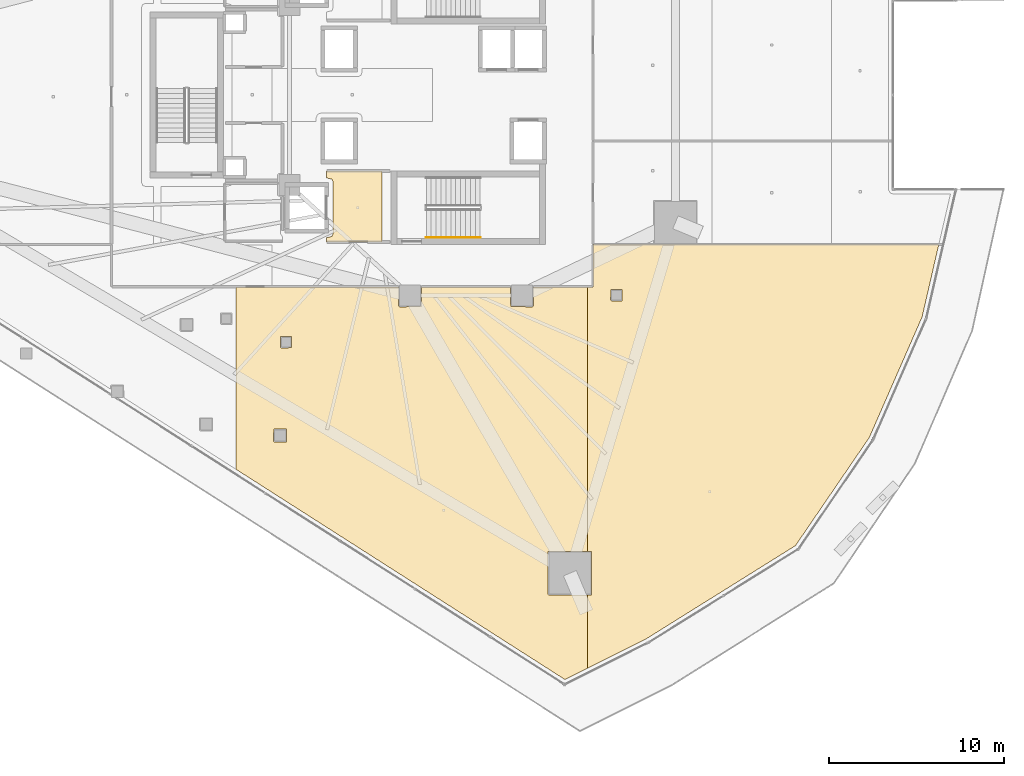
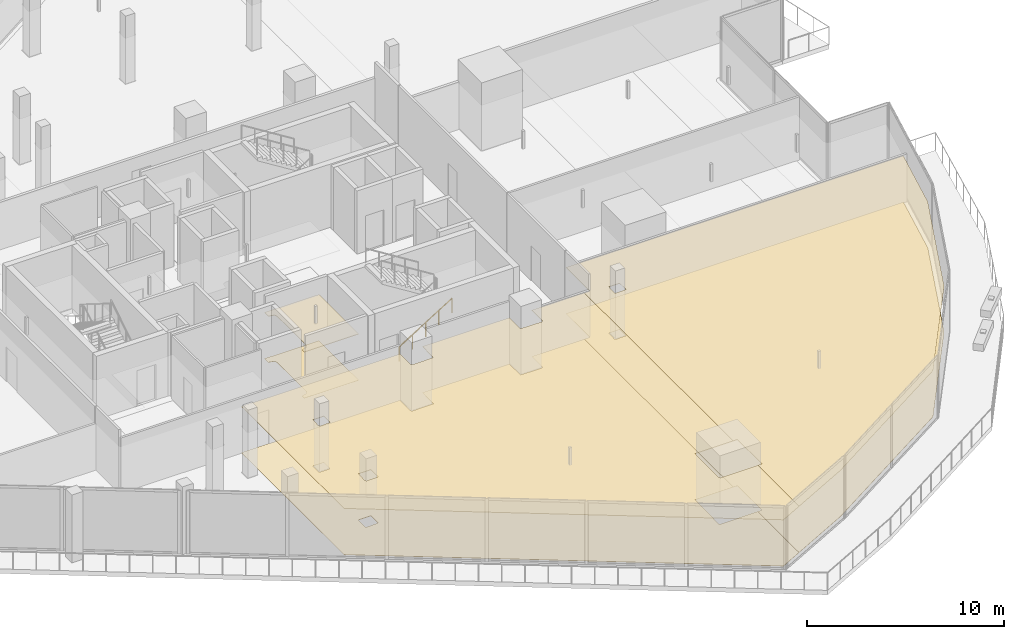
# One storey, part 36 of 42: 6 coverings, 1 railing.
"""IFC4 building model written with IfcOpenShell, lengths in metres."""

from ifc_helpers import new_model, si_unit, direction, frame, origin, origin_2d, place, context, subcontext, project, spatial, polyline, circle, outline, extrude, material, layer, layer_set, type_object, element, save


model = new_model("IFC4")

# Units and contexts
model_context = context("Model", 3, precision=1e-05, world=origin(), true_north=direction((0.0, 1.0)))
body_context = subcontext(model_context, "Body", "Model", "MODEL_VIEW")
ifc_project = project(units=[si_unit("LENGTHUNIT", "METRE"), si_unit("AREAUNIT", "SQUARE_METRE"), si_unit("VOLUMEUNIT", "CUBIC_METRE"), si_unit("PLANEANGLEUNIT", "RADIAN"), si_unit("MASSUNIT", "GRAM", prefix="KILO")], contexts=[model_context])

# Site, building, storey
site_placement = place(None, origin())
site = spatial("IfcSite", under=ifc_project, at=site_placement, CompositionType="ELEMENT")
building_placement = place(site_placement, origin())
building = spatial("IfcBuilding", under=site, at=building_placement, Name="Qorvath Tower", CompositionType="ELEMENT")
storey_placement = place(building_placement, frame((0.0, 0.0, 32.39990234375)))
storey = spatial("IfcBuildingStorey", under=building, at=storey_placement, Name="L06", CompositionType="ELEMENT", Elevation=32.39990234375)

# Coverings
ifc_material_1 = material(Name="Acoustic mineral fibre ceiling tile", Category="gypsum")
ifc_layer_1 = layer(ifc_material_1, 0.030029296875)
ifc_layer_set_1 = layer_set([ifc_layer_1], Name="COV-CEIL")
covering_type_1 = type_object("IfcCoveringType", Name="COV-CEIL", PredefinedType="CEILING", material=ifc_layer_set_1)
covering_1_placement = place(storey_placement, frame((0.0, 0.0, 2.85009765625)))
element("IfcCovering", 1, at=covering_1_placement, inside=storey, type_object=covering_type_1, Name="L06 Suspended Acoustic Ceiling 002", PredefinedType="CEILING", context=body_context, shape_type="SweptSolid", body=[
    extrude(outline(polyline([(-25.18994140625, -8.39501953125), (-25.18994140625, -4.35498046875), (-28.375, -4.35498046875), (-28.375, -4.739990234375), (-28.063232421875, -4.813232421875), (-27.989990234375, -4.989990234375), (-27.989990234375, -7.909912109375), (-28.063232421875, -8.086669921875), (-28.375, -8.159912109375), (-28.375, -8.39501953125), (-25.18994140625, -8.39501953125)])), origin(), (0.0, 0.0, 1.0), 0.030029296875),
])
covering_2_placement = place(storey_placement, frame((0.0, 0.0, 2.85009765625)))
element("IfcCovering", 2, at=covering_2_placement, inside=storey, type_object=covering_type_1, Name="L06 Suspended Acoustic Ceiling 014", PredefinedType="CEILING", context=body_context, shape_type="SweptSolid", body=[
    extrude(outline(polyline([(-13.46728515625, -32.763916015625), (-13.46728515625, -28.574951171875), (-15.664306640625, -28.5908203125), (-15.724365234375, -28.53076171875), (-15.706787109375, -26.08837890625), (-13.46728515625, -26.08837890625), (-13.46728515625, -10.961669921875), (-16.5400390625, -10.962890625), (-16.5400390625, -12.050048828125), (-16.60009765625, -12.110107421875), (-17.842529296875, -12.092529296875), (-17.860107421875, -10.962890625), (-22.93994140625, -10.962890625), (-22.95751953125, -12.092529296875), (-24.199951171875, -12.110107421875), (-24.260009765625, -12.050048828125), (-24.260009765625, -10.962890625), (-33.55078125, -10.962890625), (-33.55078125, -21.390869140625), (-14.751708984375, -33.406005859375), (-13.46728515625, -32.763916015625)]), holes=[polyline([(-31.01220703125, -14.3994140625), (-30.99462890625, -13.806884765625), (-30.35986328125, -13.806884765625), (-30.35986328125, -14.441650390625), (-30.9521484375, -14.459228515625), (-31.01220703125, -14.3994140625)]), polyline([(-31.401123046875, -19.785400390625), (-31.383544921875, -19.093017578125), (-30.648681640625, -19.093017578125), (-30.648681640625, -19.827880859375), (-31.341064453125, -19.845458984375), (-31.401123046875, -19.785400390625)])]), origin(), (0.0, 0.0, 1.0), 0.030029296875),
])
covering_3_placement = place(storey_placement, frame((0.0, 0.0, 2.85009765625)))
element("IfcCovering", 3, at=covering_3_placement, inside=storey, type_object=covering_type_1, Name="L06 Suspended Acoustic Ceiling 015", PredefinedType="CEILING", context=body_context, shape_type="SweptSolid", body=[
    extrude(outline(polyline([(-10.07763671875, -31.069091796875), (-1.571533203125, -25.755859375), (2.6494140625, -19.57373046875), (5.663818359375, -12.689453125), (6.6162109375, -8.554931640625), (-13.136962890625, -8.554931640625), (-13.138427734375, -10.96142578125), (-13.46728515625, -10.961669921875), (-13.46728515625, -26.08837890625), (-13.221923828125, -26.08837890625), (-13.221923828125, -28.5732421875), (-13.46728515625, -28.574951171875), (-13.46728515625, -32.763916015625), (-10.07763671875, -31.069091796875)]), holes=[polyline([(-12.135009765625, -11.72509765625), (-12.117431640625, -11.132568359375), (-11.482666015625, -11.132568359375), (-11.482666015625, -11.767333984375), (-12.074951171875, -11.784912109375), (-12.135009765625, -11.72509765625)])]), origin(), (0.0, 0.0, 1.0), 0.030029296875),
])
ifc_material_2 = material(Name="Low-VOC modular carpet tile", Category="textile")
ifc_layer_2 = layer(ifc_material_2, 0.014892578125)
ifc_layer_set_2 = layer_set([ifc_layer_2], Name="COV-FLOOR-CPT")
covering_type_2 = type_object("IfcCoveringType", Name="COV-FLOOR-CPT", PredefinedType="FLOORING", material=ifc_layer_set_2)
covering_4_placement = place(storey_placement, origin())
element("IfcCovering", 4, at=covering_4_placement, inside=storey, type_object=covering_type_2, Name="L06 Floor Finish 014", PredefinedType="FLOORING", context=body_context, shape_type="SweptSolid", body=[
    extrude(outline(polyline([(-13.46728515625, -32.763916015625), (-13.46728515625, -28.574951171875), (-15.664306640625, -28.5908203125), (-15.724365234375, -28.53076171875), (-15.706787109375, -26.08837890625), (-13.46728515625, -26.08837890625), (-13.46728515625, -10.961669921875), (-16.5400390625, -10.962890625), (-16.5400390625, -12.050048828125), (-16.60009765625, -12.110107421875), (-17.842529296875, -12.092529296875), (-17.860107421875, -10.962890625), (-22.93994140625, -10.962890625), (-22.95751953125, -12.092529296875), (-24.199951171875, -12.110107421875), (-24.260009765625, -12.050048828125), (-24.260009765625, -10.962890625), (-33.55078125, -10.962890625), (-33.55078125, -21.390869140625), (-14.751708984375, -33.406005859375), (-13.46728515625, -32.763916015625)]), holes=[polyline([(-31.01220703125, -14.3994140625), (-30.99462890625, -13.806884765625), (-30.35986328125, -13.806884765625), (-30.35986328125, -14.441650390625), (-30.9521484375, -14.459228515625), (-31.01220703125, -14.3994140625)]), polyline([(-31.401123046875, -19.785400390625), (-31.383544921875, -19.093017578125), (-30.648681640625, -19.093017578125), (-30.648681640625, -19.827880859375), (-31.341064453125, -19.845458984375), (-31.401123046875, -19.785400390625)])]), origin(), (0.0, 0.0, 1.0), 0.01513671875),
])
covering_5_placement = place(storey_placement, origin())
element("IfcCovering", 5, at=covering_5_placement, inside=storey, type_object=covering_type_2, Name="L06 Floor Finish 015", PredefinedType="FLOORING", context=body_context, shape_type="SweptSolid", body=[
    extrude(outline(polyline([(-10.07763671875, -31.069091796875), (-1.571533203125, -25.755859375), (2.6494140625, -19.57373046875), (5.663818359375, -12.689453125), (6.6162109375, -8.554931640625), (-13.136962890625, -8.554931640625), (-13.138427734375, -10.96142578125), (-13.46728515625, -10.961669921875), (-13.46728515625, -26.08837890625), (-13.221923828125, -26.08837890625), (-13.221923828125, -28.5732421875), (-13.46728515625, -28.574951171875), (-13.46728515625, -32.763916015625), (-10.07763671875, -31.069091796875)]), holes=[polyline([(-12.135009765625, -11.72509765625), (-12.117431640625, -11.132568359375), (-11.482666015625, -11.132568359375), (-11.482666015625, -11.767333984375), (-12.074951171875, -11.784912109375), (-12.135009765625, -11.72509765625)])]), origin(), (0.0, 0.0, 1.0), 0.01513671875),
])
ifc_material_3 = material(Name="Polished epoxy terrazzo flooring", Category="concrete")
ifc_layer_3 = layer(ifc_material_3, 0.02001953125)
ifc_layer_set_3 = layer_set([ifc_layer_3], Name="COV-FLOOR-TRZ")
covering_type_3 = type_object("IfcCoveringType", Name="COV-FLOOR-TRZ", PredefinedType="FLOORING", material=ifc_layer_set_3)
covering_6_placement = place(storey_placement, origin())
element("IfcCovering", 6, at=covering_6_placement, inside=storey, type_object=covering_type_3, Name="L06 Floor Finish 002", PredefinedType="FLOORING", context=body_context, shape_type="SweptSolid", body=[
    extrude(outline(polyline([(-25.18994140625, -8.39501953125), (-25.18994140625, -4.35498046875), (-28.375, -4.35498046875), (-28.375, -4.739990234375), (-28.063232421875, -4.813232421875), (-27.989990234375, -4.989990234375), (-27.989990234375, -7.909912109375), (-28.063232421875, -8.086669921875), (-28.375, -8.159912109375), (-28.375, -8.39501953125), (-25.18994140625, -8.39501953125)])), origin(), (0.0, 0.0, 1.0), 0.01513671875),
])

# Railing
ifc_material_4 = material(Name="Brushed stainless steel AISI 304", Category="steel")
railing_type = type_object("IfcRailingType", Name="RL-STR-HND", PredefinedType="HANDRAIL", material=ifc_material_4)
railing_placement = place(storey_placement, frame((-22.669921875, -8.14990234375, 0.175048828125)))
element("IfcRailing", 7, at=railing_placement, inside=storey, type_object=railing_type, Name="L06 TS2 stair handrail 1", PredefinedType="HANDRAIL", context=body_context, shape_type="SweptSolid", body=[
    extrude(circle(Radius=0.02392578125, at=origin_2d()), frame((0.0, 0.0, 0.8759765625), z_axis=(0.847979421464, 0.0, 0.530029150871), x_axis=(0.0, 1.0, 0.0)), (0.0, 0.0, 1.0), 3.632080078125),
    extrude(circle(Radius=0.02099609375, at=origin_2d()), origin(), (0.0, 0.0, 1.0), 0.851806640625),
    extrude(circle(Radius=0.02099609375, at=origin_2d()), frame((0.77001953125, 0.0, 0.481201171875)), (0.0, 0.0, 1.0), 0.851806640625),
    extrude(circle(Radius=0.02099609375, at=origin_2d()), frame((1.5400390625, 0.0, 0.96240234375)), (0.0, 0.0, 1.0), 0.851806640625),
    extrude(circle(Radius=0.02099609375, at=origin_2d()), frame((2.309814453125, 0.0, 1.44384765625)), (0.0, 0.0, 1.0), 0.851806640625),
    extrude(circle(Radius=0.02099609375, at=origin_2d()), frame((3.079833984375, 0.0, 1.925048828125)), (0.0, 0.0, 1.0), 0.851806640625),
])

save(model, "model.ifc")
